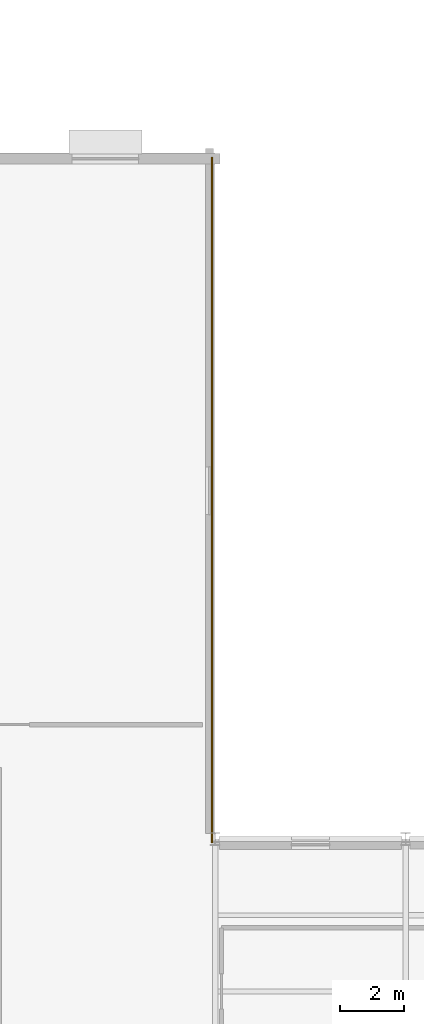
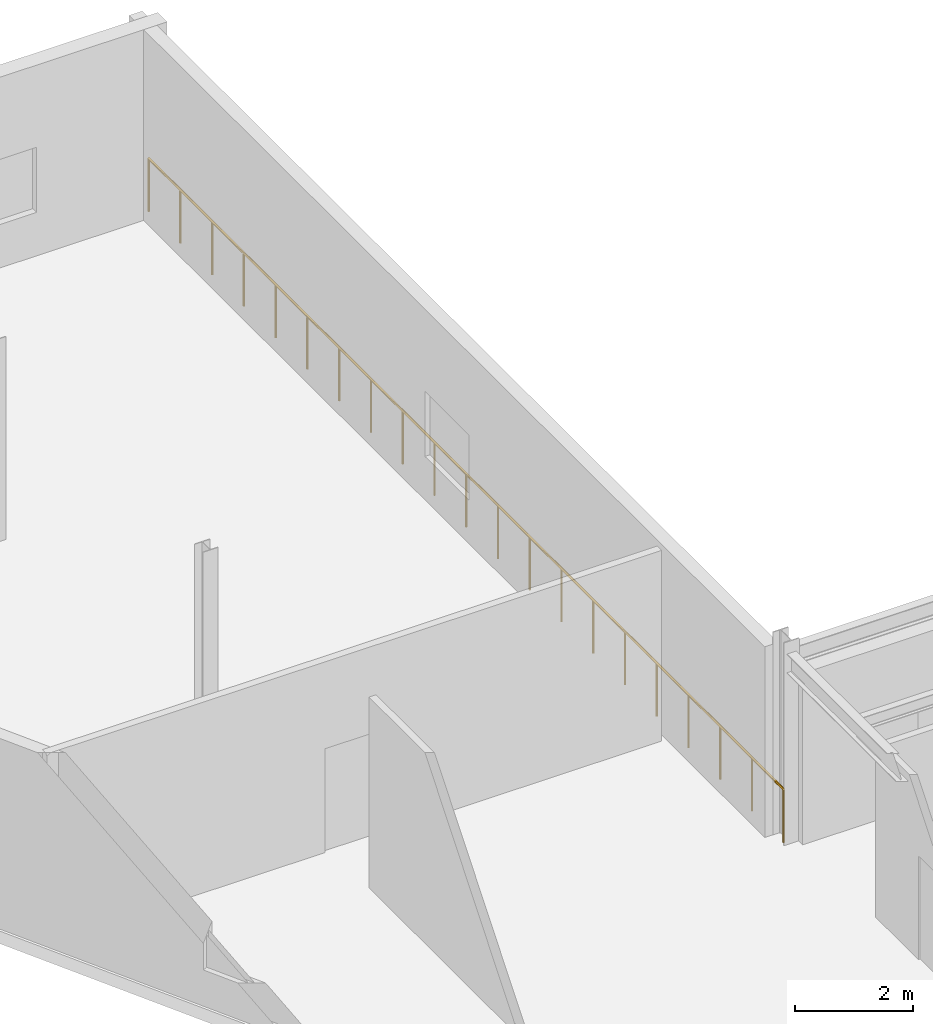
# One storey, part 60 of 60: 1 railing.
"""IFC4 building model written with IfcOpenShell, lengths in metres."""

from ifc_helpers import new_model, si_unit, direction, frame, origin, origin_2d, place, context, subcontext, project, spatial, circle, extrude, material, type_object, element, save


model = new_model("IFC4")

# Units and contexts
model_context = context("Model", 3, precision=1e-05, world=origin(), true_north=direction((0.0, 1.0)))
body_context = subcontext(model_context, "Body", "Model", "MODEL_VIEW")
ifc_project = project(units=[si_unit("LENGTHUNIT", "METRE"), si_unit("AREAUNIT", "SQUARE_METRE"), si_unit("VOLUMEUNIT", "CUBIC_METRE"), si_unit("PLANEANGLEUNIT", "RADIAN"), si_unit("MASSUNIT", "GRAM", prefix="KILO")], contexts=[model_context])

# Site, building, storey
site_placement = place(None, origin())
site = spatial("IfcSite", under=ifc_project, at=site_placement, CompositionType="ELEMENT")
building_placement = place(site_placement, origin())
building = spatial("IfcBuilding", under=site, at=building_placement, Name="Brisavento Harbour Community Centre", CompositionType="ELEMENT")
storey_placement = place(building_placement, frame((0.0, 0.0, 4.5)))
storey = spatial("IfcBuildingStorey", under=building, at=storey_placement, Name="L01", CompositionType="ELEMENT", Elevation=4.5)

# Railing
ifc_material = material(Name="Stainless steel 1.4401", Category="steel")
railing_type = type_object("IfcRailingType", Name="RL-ATR-BAL", PredefinedType="BALUSTRADE", material=ifc_material)
railing_placement = place(storey_placement, frame((129.5, 86.300048828125, 0.0)))
element("IfcRailing", 1, at=railing_placement, inside=storey, type_object=railing_type, Name="L01 atrium and gallery balustrade BAL-V4-GAL-W", PredefinedType="BALUSTRADE", context=body_context, shape_type="SweptSolid", body=[
    extrude(circle(Radius=0.02392578125, at=origin_2d()), frame((0.0, 0.0, 1.09619140625), z_axis=(0.0, 1.0, 0.0), x_axis=(-1.0, 0.0, 0.0)), (0.0, 0.0, 1.0), 21.550048828125),
    extrude(circle(Radius=0.02099609375, at=origin_2d()), origin(), (0.0, 0.0, 1.0), 1.072021484375),
    extrude(circle(Radius=0.02099609375, at=origin_2d()), frame((0.0, 1.077392578125, 0.0)), (0.0, 0.0, 1.0), 1.072021484375),
    extrude(circle(Radius=0.02099609375, at=origin_2d()), frame((0.0, 2.155029296875, 0.0)), (0.0, 0.0, 1.0), 1.072021484375),
    extrude(circle(Radius=0.02099609375, at=origin_2d()), frame((0.0, 3.232421875, 0.0)), (0.0, 0.0, 1.0), 1.072021484375),
    extrude(circle(Radius=0.02099609375, at=origin_2d()), frame((0.0, 4.31005859375, 0.0)), (0.0, 0.0, 1.0), 1.072021484375),
    extrude(circle(Radius=0.02099609375, at=origin_2d()), frame((0.0, 5.387451171875, 0.0)), (0.0, 0.0, 1.0), 1.072021484375),
    extrude(circle(Radius=0.02099609375, at=origin_2d()), frame((0.0, 6.465087890625, 0.0)), (0.0, 0.0, 1.0), 1.072021484375),
    extrude(circle(Radius=0.02099609375, at=origin_2d()), frame((0.0, 7.54248046875, 0.0)), (0.0, 0.0, 1.0), 1.072021484375),
    extrude(circle(Radius=0.02099609375, at=origin_2d()), frame((0.0, 8.6201171875, 0.0)), (0.0, 0.0, 1.0), 1.072021484375),
    extrude(circle(Radius=0.02099609375, at=origin_2d()), frame((0.0, 9.697509765625, 0.0)), (0.0, 0.0, 1.0), 1.072021484375),
    extrude(circle(Radius=0.02099609375, at=origin_2d()), frame((0.0, 10.77490234375, 0.0)), (0.0, 0.0, 1.0), 1.072021484375),
    extrude(circle(Radius=0.02099609375, at=origin_2d()), frame((0.0, 11.8525390625, 0.0)), (0.0, 0.0, 1.0), 1.072021484375),
    extrude(circle(Radius=0.02099609375, at=origin_2d()), frame((0.0, 12.929931640625, 0.0)), (0.0, 0.0, 1.0), 1.072021484375),
    extrude(circle(Radius=0.02099609375, at=origin_2d()), frame((0.0, 14.007568359375, 0.0)), (0.0, 0.0, 1.0), 1.072021484375),
    extrude(circle(Radius=0.02099609375, at=origin_2d()), frame((0.0, 15.0849609375, 0.0)), (0.0, 0.0, 1.0), 1.072021484375),
    extrude(circle(Radius=0.02099609375, at=origin_2d()), frame((0.0, 16.16259765625, 0.0)), (0.0, 0.0, 1.0), 1.072021484375),
    extrude(circle(Radius=0.02099609375, at=origin_2d()), frame((0.0, 17.239990234375, 0.0)), (0.0, 0.0, 1.0), 1.072021484375),
    extrude(circle(Radius=0.02099609375, at=origin_2d()), frame((0.0, 18.317626953125, 0.0)), (0.0, 0.0, 1.0), 1.072021484375),
    extrude(circle(Radius=0.02099609375, at=origin_2d()), frame((0.0, 19.39501953125, 0.0)), (0.0, 0.0, 1.0), 1.072021484375),
    extrude(circle(Radius=0.02099609375, at=origin_2d()), frame((0.0, 20.47265625, 0.0)), (0.0, 0.0, 1.0), 1.072021484375),
    extrude(circle(Radius=0.02099609375, at=origin_2d()), frame((0.0, 21.550048828125, 0.0)), (0.0, 0.0, 1.0), 1.072021484375),
])

save(model, "model.ifc")
